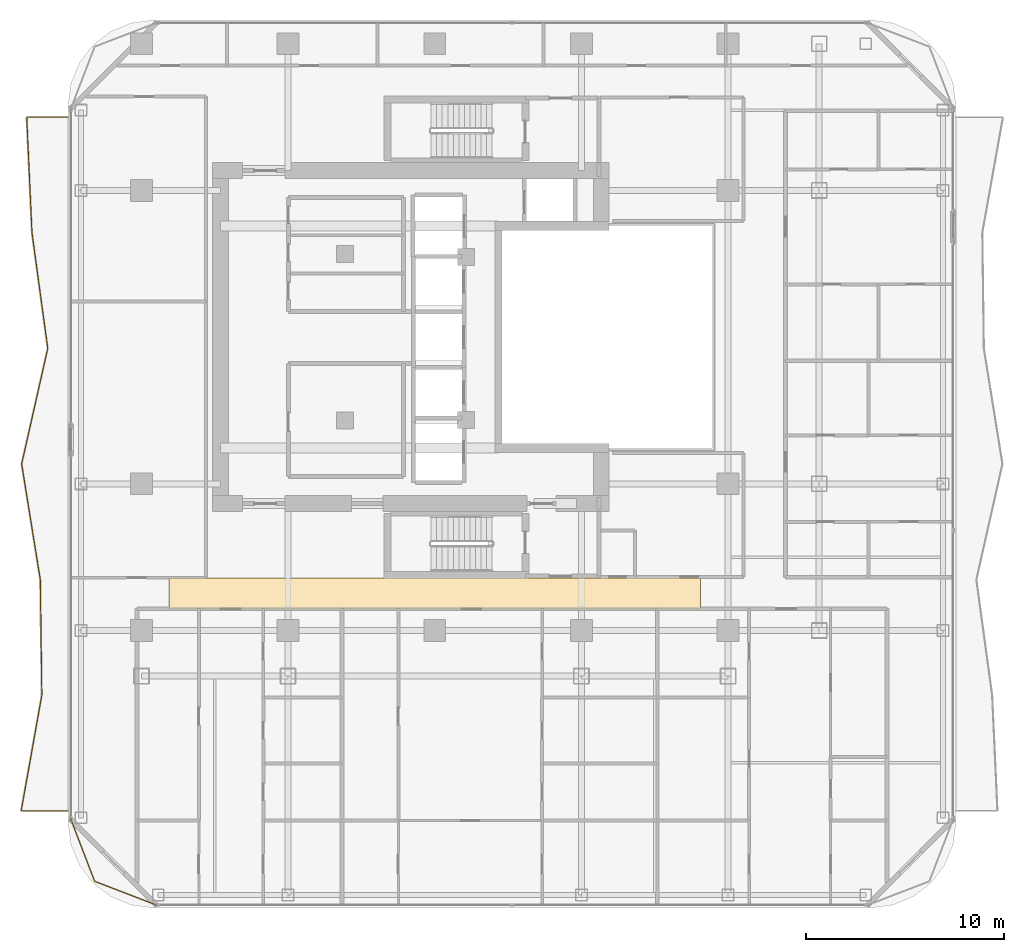
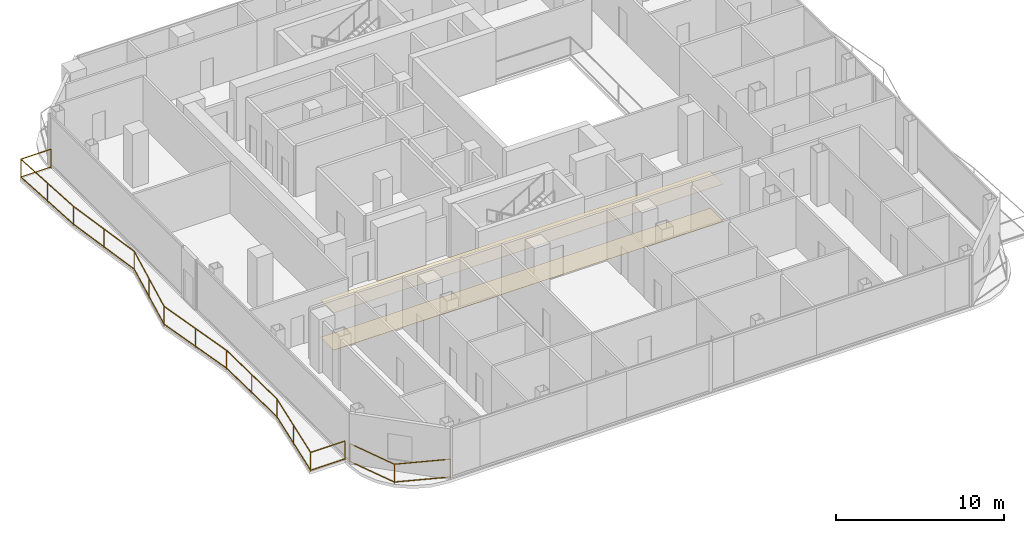
# One storey, part 25 of 27: 2 coverings, 2 railings.
"""IFC4 building model written with IfcOpenShell, lengths in metres."""

from ifc_helpers import new_model, si_unit, direction, frame, origin, origin_2d, place, context, subcontext, project, spatial, polyline, rectangle, outline, extrude, material, layer, layer_set, type_object, element, save


model = new_model("IFC4")

# Units and contexts
model_context = context("Model", 3, precision=1e-05, world=origin(), true_north=direction((0.0, 1.0)))
body_context = subcontext(model_context, "Body", "Model", "MODEL_VIEW")
ifc_project = project(units=[si_unit("LENGTHUNIT", "METRE"), si_unit("AREAUNIT", "SQUARE_METRE"), si_unit("VOLUMEUNIT", "CUBIC_METRE"), si_unit("PLANEANGLEUNIT", "RADIAN"), si_unit("MASSUNIT", "GRAM", prefix="KILO")], contexts=[model_context])

# Site, building, storey
site_placement = place(None, origin())
site = spatial("IfcSite", under=ifc_project, at=site_placement, CompositionType="ELEMENT")
building_placement = place(site_placement, origin())
building = spatial("IfcBuilding", under=site, at=building_placement, Name="Khorvyn Point Tower", CompositionType="ELEMENT")
storey_placement = place(building_placement, frame((0.0, 0.0, 227.39990234375)))
storey = spatial("IfcBuildingStorey", under=building, at=storey_placement, Name="L56", CompositionType="ELEMENT", Elevation=227.39990234375)

# Railings
ifc_material_1 = material(Name="Anodised aluminium 6063-T6 and laminated safety glass", Category="aluminium")
railing_type = type_object("IfcRailingType", Name="Laminated Glass and Aluminium Balcony Guardrail 1400", PredefinedType="BALUSTRADE", material=ifc_material_1)
railing_1_placement = place(storey_placement, frame((-18.374267578125, -24.28125, 0.0)))
element("IfcRailing", 1, at=railing_1_placement, inside=storey, type_object=railing_type, Name="L56 Rounded Corner Edge Guardrail SW", PredefinedType="BALUSTRADE", context=body_context, shape_type="SweptSolid", body=[
    extrude(rectangle(XDim=0.048095703125, YDim=0.048095703125, at=origin_2d()), frame((0.0, 0.0, 1.3759765625), z_axis=(0.358343916815, -0.933589651443, 0.0), x_axis=(0.933589651443, 0.358343916815, 0.0)), (0.0, 0.0, 1.0), 3.400390625),
    extrude(rectangle(XDim=0.048095703125, YDim=0.048095703125, at=origin_2d()), frame((0.0, 0.0, 0.080078125), z_axis=(0.358343916815, -0.933589651443, 0.0), x_axis=(0.933589651443, 0.358343916815, 0.0)), (0.0, 0.0, 1.0), 3.400390625),
    extrude(rectangle(XDim=0.048095703125, YDim=0.048095703125, at=origin_2d()), frame((1.218505859375, -3.174560546875, 1.3759765625), z_axis=(0.933589651443, -0.358343916815, 0.0), x_axis=(0.358343916815, 0.933589651443, 0.0)), (0.0, 0.0, 1.0), 3.400390625),
    extrude(rectangle(XDim=0.048095703125, YDim=0.048095703125, at=origin_2d()), frame((1.218505859375, -3.174560546875, 0.080078125), z_axis=(0.933589651443, -0.358343916815, 0.0), x_axis=(0.358343916815, 0.933589651443, 0.0)), (0.0, 0.0, 1.0), 3.400390625),
    extrude(rectangle(XDim=0.0419921875, YDim=0.0419921875, at=origin_2d()), origin(), (0.0, 0.0, 1.0), 1.351806640625),
    extrude(rectangle(XDim=0.0419921875, YDim=0.0419921875, at=origin_2d()), frame((1.218505859375, -3.174560546875, 0.0)), (0.0, 0.0, 1.0), 1.351806640625),
    extrude(rectangle(XDim=0.0419921875, YDim=0.0419921875, at=origin_2d()), frame((4.39306640625, -4.39306640625, 0.0)), (0.0, 0.0, 1.0), 1.351806640625),
])
railing_2_placement = place(storey_placement, frame((-18.5, 11.10009765625, 0.0)))
element("IfcRailing", 2, at=railing_2_placement, inside=storey, type_object=railing_type, Name="L56 West Balcony Guardrail", PredefinedType="BALUSTRADE", context=body_context, shape_type="SweptSolid", body=[
    extrude(rectangle(XDim=0.048095703125, YDim=0.048095703125, at=origin_2d()), frame((0.0, 0.0, 1.3759765625), z_axis=(-1.0, 0.0, 0.0), x_axis=(0.0, -1.0, 0.0)), (0.0, 0.0, 1.0), 2.08349609375),
    extrude(rectangle(XDim=0.048095703125, YDim=0.048095703125, at=origin_2d()), frame((0.0, 0.0, 0.080078125), z_axis=(-1.0, 0.0, 0.0), x_axis=(0.0, -1.0, 0.0)), (0.0, 0.0, 1.0), 2.08349609375),
    extrude(rectangle(XDim=0.048095703125, YDim=0.048095703125, at=origin_2d()), frame((-2.08349609375, 0.0, 1.3759765625), z_axis=(0.045570754739, -0.998961113514, 0.0), x_axis=(0.998961113514, 0.045570754739, 0.0)), (0.0, 0.0, 1.0), 5.839599609375),
    extrude(rectangle(XDim=0.048095703125, YDim=0.048095703125, at=origin_2d()), frame((-2.08349609375, 0.0, 0.080078125), z_axis=(0.045570754739, -0.998961113514, 0.0), x_axis=(0.998961113514, 0.045570754739, 0.0)), (0.0, 0.0, 1.0), 5.839599609375),
    extrude(rectangle(XDim=0.048095703125, YDim=0.048095703125, at=origin_2d()), frame((-1.8173828125, -5.83349609375, 1.3759765625), z_axis=(0.135351915823, -0.990797587241, 0.0), x_axis=(0.990797587241, 0.135351915823, 0.0)), (0.0, 0.0, 1.0), 5.887451171875),
    extrude(rectangle(XDim=0.048095703125, YDim=0.048095703125, at=origin_2d()), frame((-1.8173828125, -5.83349609375, 0.080078125), z_axis=(0.135351915823, -0.990797587241, 0.0), x_axis=(0.990797587241, 0.135351915823, 0.0)), (0.0, 0.0, 1.0), 5.887451171875),
    extrude(rectangle(XDim=0.048095703125, YDim=0.048095703125, at=origin_2d()), frame((-1.0205078125, -11.666748046875, 1.3759765625), z_axis=(-0.220253353076, -0.975442699731, 0.0), x_axis=(0.975442699731, -0.220253353076, 0.0)), (0.0, 0.0, 1.0), 5.980224609375),
    extrude(rectangle(XDim=0.048095703125, YDim=0.048095703125, at=origin_2d()), frame((-1.0205078125, -11.666748046875, 0.080078125), z_axis=(-0.220253353076, -0.975442699731, 0.0), x_axis=(0.975442699731, -0.220253353076, 0.0)), (0.0, 0.0, 1.0), 5.980224609375),
    extrude(rectangle(XDim=0.048095703125, YDim=0.048095703125, at=origin_2d()), frame((-2.337646484375, -17.5, 1.3759765625), z_axis=(0.15907654928, -0.98726625156, 0.0), x_axis=(0.98726625156, 0.15907654928, 0.0)), (0.0, 0.0, 1.0), 5.90869140625),
    extrude(rectangle(XDim=0.048095703125, YDim=0.048095703125, at=origin_2d()), frame((-2.337646484375, -17.5, 0.080078125), z_axis=(0.15907654928, -0.98726625156, 0.0), x_axis=(0.98726625156, 0.15907654928, 0.0)), (0.0, 0.0, 1.0), 5.90869140625),
    extrude(rectangle(XDim=0.048095703125, YDim=0.048095703125, at=origin_2d()), frame((-1.397705078125, -23.33349609375, 1.3759765625), z_axis=(0.013350000931, -0.999910884767, 0.0), x_axis=(0.999910884767, 0.013350000931, 0.0)), (0.0, 0.0, 1.0), 5.833740234375),
    extrude(rectangle(XDim=0.048095703125, YDim=0.048095703125, at=origin_2d()), frame((-1.397705078125, -23.33349609375, 0.080078125), z_axis=(0.013350000931, -0.999910884767, 0.0), x_axis=(0.999910884767, 0.013350000931, 0.0)), (0.0, 0.0, 1.0), 5.833740234375),
    extrude(rectangle(XDim=0.048095703125, YDim=0.048095703125, at=origin_2d()), frame((-1.31982421875, -29.166748046875, 1.3759765625), z_axis=(-0.175966029351, -0.984396239588, 0.0), x_axis=(0.984396239588, -0.175966029351, 0.0)), (0.0, 0.0, 1.0), 5.92578125),
    extrude(rectangle(XDim=0.048095703125, YDim=0.048095703125, at=origin_2d()), frame((-1.31982421875, -29.166748046875, 0.080078125), z_axis=(-0.175966029351, -0.984396239588, 0.0), x_axis=(0.984396239588, -0.175966029351, 0.0)), (0.0, 0.0, 1.0), 5.92578125),
    extrude(rectangle(XDim=0.048095703125, YDim=0.048095703125, at=origin_2d()), frame((-2.362548828125, -35.0, 1.3759765625), z_axis=(1.0, 0.0, 0.0), x_axis=(0.0, 1.0, 0.0)), (0.0, 0.0, 1.0), 2.362548828125),
    extrude(rectangle(XDim=0.048095703125, YDim=0.048095703125, at=origin_2d()), frame((-2.362548828125, -35.0, 0.080078125), z_axis=(1.0, 0.0, 0.0), x_axis=(0.0, 1.0, 0.0)), (0.0, 0.0, 1.0), 2.362548828125),
    extrude(rectangle(XDim=0.0419921875, YDim=0.0419921875, at=origin_2d()), origin(), (0.0, 0.0, 1.0), 1.351806640625),
    extrude(rectangle(XDim=0.0419921875, YDim=0.0419921875, at=origin_2d()), frame((-2.08349609375, 0.0, 0.0)), (0.0, 0.0, 1.0), 1.351806640625),
    extrude(rectangle(XDim=0.0419921875, YDim=0.0419921875, at=origin_2d()), frame((-1.950439453125, -2.916748046875, 0.0)), (0.0, 0.0, 1.0), 1.351806640625),
    extrude(rectangle(XDim=0.0419921875, YDim=0.0419921875, at=origin_2d()), frame((-1.8173828125, -5.83349609375, 0.0)), (0.0, 0.0, 1.0), 1.351806640625),
    extrude(rectangle(XDim=0.0419921875, YDim=0.0419921875, at=origin_2d()), frame((-1.4189453125, -8.75, 0.0)), (0.0, 0.0, 1.0), 1.351806640625),
    extrude(rectangle(XDim=0.0419921875, YDim=0.0419921875, at=origin_2d()), frame((-1.0205078125, -11.666748046875, 0.0)), (0.0, 0.0, 1.0), 1.351806640625),
    extrude(rectangle(XDim=0.0419921875, YDim=0.0419921875, at=origin_2d()), frame((-1.67919921875, -14.58349609375, 0.0)), (0.0, 0.0, 1.0), 1.351806640625),
    extrude(rectangle(XDim=0.0419921875, YDim=0.0419921875, at=origin_2d()), frame((-2.337646484375, -17.5, 0.0)), (0.0, 0.0, 1.0), 1.351806640625),
    extrude(rectangle(XDim=0.0419921875, YDim=0.0419921875, at=origin_2d()), frame((-1.86767578125, -20.416748046875, 0.0)), (0.0, 0.0, 1.0), 1.351806640625),
    extrude(rectangle(XDim=0.0419921875, YDim=0.0419921875, at=origin_2d()), frame((-1.397705078125, -23.33349609375, 0.0)), (0.0, 0.0, 1.0), 1.351806640625),
    extrude(rectangle(XDim=0.0419921875, YDim=0.0419921875, at=origin_2d()), frame((-1.35888671875, -26.25, 0.0)), (0.0, 0.0, 1.0), 1.351806640625),
    extrude(rectangle(XDim=0.0419921875, YDim=0.0419921875, at=origin_2d()), frame((-1.31982421875, -29.166748046875, 0.0)), (0.0, 0.0, 1.0), 1.351806640625),
    extrude(rectangle(XDim=0.0419921875, YDim=0.0419921875, at=origin_2d()), frame((-1.84130859375, -32.08349609375, 0.0)), (0.0, 0.0, 1.0), 1.351806640625),
    extrude(rectangle(XDim=0.0419921875, YDim=0.0419921875, at=origin_2d()), frame((-2.362548828125, -35.0, 0.0)), (0.0, 0.0, 1.0), 1.351806640625),
    extrude(rectangle(XDim=0.0419921875, YDim=0.0419921875, at=origin_2d()), frame((0.0, -35.0, 0.0)), (0.0, 0.0, 1.0), 1.351806640625),
])

# Coverings
ifc_material_2 = material(Name="Mineral-fibre acoustic ceiling board", Category="gypsum")
ifc_layer_1 = layer(ifc_material_2, 0.02001953125)
ifc_layer_set_1 = layer_set([ifc_layer_1], Name="Perforated Mineral-Fibre Acoustic Suspended Ceiling 20")
covering_type_1 = type_object("IfcCoveringType", Name="Perforated Mineral-Fibre Acoustic Suspended Ceiling 20", PredefinedType="CEILING", material=ifc_layer_set_1)
covering_1_placement = place(storey_placement, frame((0.0, 0.0, 2.7001953125)))
element("IfcCovering", 3, at=covering_1_placement, inside=storey, type_object=covering_type_1, Name="L56 South Corridor Acoustic Ceiling", PredefinedType="CEILING", context=body_context, shape_type="SweptSolid", body=[
    extrude(outline(polyline([(-13.39990234375, -13.7099609375), (13.39990234375, -13.7099609375), (13.39990234375, -12.139892578125), (-13.39990234375, -12.139892578125), (-13.39990234375, -13.7099609375)])), origin(), (0.0, 0.0, 1.0), 0.02001953125),
])
ifc_material_3 = material(Name="Vitrified porcelain terrazzo tile", Category="ceramic")
ifc_layer_2 = layer(ifc_material_3, 0.01806640625)
ifc_layer_set_2 = layer_set([ifc_layer_2], Name="Porcelain Terrazzo Corridor Floor Finish Tile 18")
covering_type_2 = type_object("IfcCoveringType", Name="Porcelain Terrazzo Corridor Floor Finish Tile 18", PredefinedType="FLOORING", material=ifc_layer_set_2)
covering_2_placement = place(storey_placement, origin())
element("IfcCovering", 4, at=covering_2_placement, inside=storey, type_object=covering_type_2, Name="L56 South Corridor Terrazzo Flooring", PredefinedType="FLOORING", context=body_context, shape_type="SweptSolid", body=[
    extrude(outline(polyline([(-13.39990234375, -13.7099609375), (13.39990234375, -13.7099609375), (13.39990234375, -12.139892578125), (-13.39990234375, -12.139892578125), (-13.39990234375, -13.7099609375)])), origin(), (0.0, 0.0, 1.0), 0.01806640625),
])

save(model, "model.ifc")
